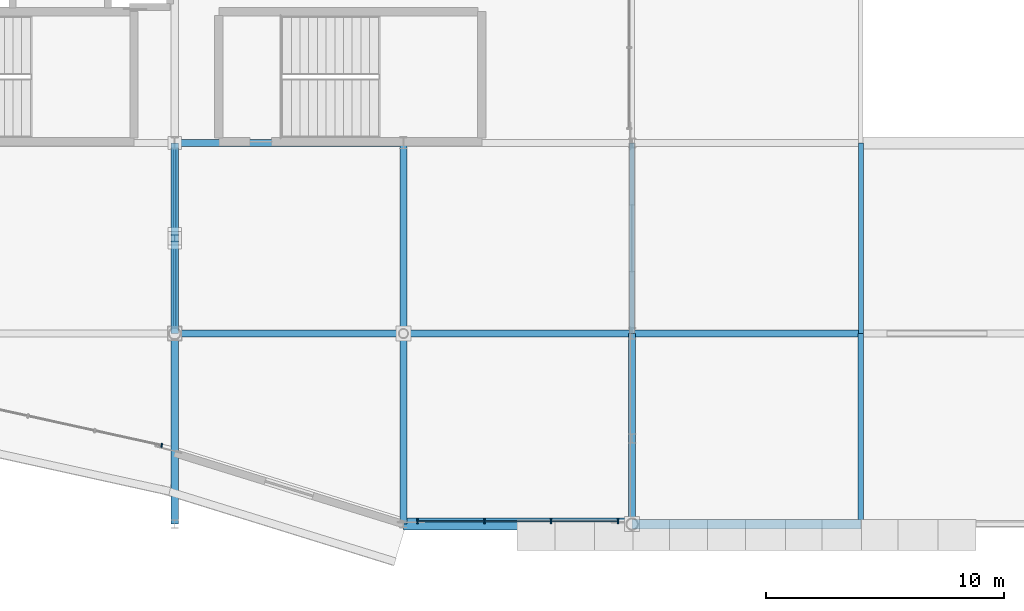
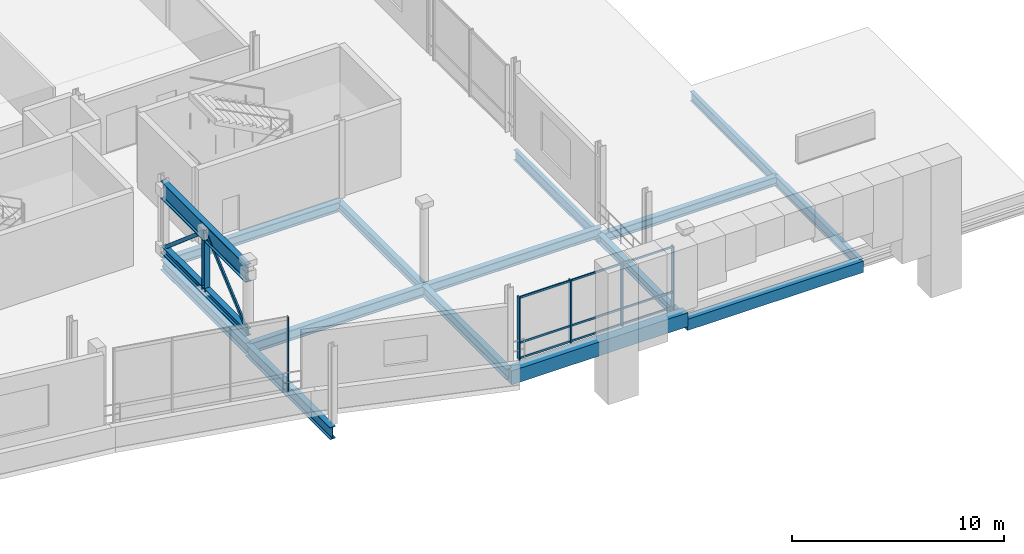
# One storey, part 39 of 193: 14 beams, 13 members, 2 elements without a shape of their own.
"""IFC4 building model written with IfcOpenShell, lengths in metres."""

from ifc_helpers import new_model, si_unit, direction, frame, origin, origin_2d, place, context, subcontext, project, spatial, rectangle, hollow_rectangle, i_section, extrude, material, material_profile, profile_set, type_object, element, aggregate, save


model = new_model("IFC4")

# Units and contexts
model_context = context("Model", 3, precision=1e-05, world=origin(), true_north=direction((0.0, 1.0)))
body_context = subcontext(model_context, "Body", "Model", "MODEL_VIEW")
ifc_project = project(units=[si_unit("LENGTHUNIT", "METRE"), si_unit("AREAUNIT", "SQUARE_METRE"), si_unit("VOLUMEUNIT", "CUBIC_METRE"), si_unit("PLANEANGLEUNIT", "RADIAN"), si_unit("MASSUNIT", "GRAM", prefix="KILO")], contexts=[model_context])

# Site, building, storey
site_placement = place(None, origin())
site = spatial("IfcSite", under=ifc_project, at=site_placement, CompositionType="ELEMENT")
building_placement = place(site_placement, origin())
building = spatial("IfcBuilding", under=site, at=building_placement, Name="Danafjord Basin Convention Centre", CompositionType="ELEMENT")
storey_placement = place(building_placement, frame((0.0, 0.0, 11.39990234375)))
storey = spatial("IfcBuildingStorey", under=building, at=storey_placement, Name="L02", CompositionType="ELEMENT", Elevation=11.39990234375)

# Beams
ifc_material_1 = material(Name="Steel S355", Category="steel")
ifc_material_profile_1 = material_profile(ifc_material_1, i_section(OverallWidth=0.300048828125, OverallDepth=0.5, WebThickness=0.014404296875, FlangeThickness=0.028076171875, FilletRadius=0.027099609375, at=origin_2d()), Name="HEB 500")
ifc_profile_set_1 = profile_set([ifc_material_profile_1], Name="Steel S355")
beam_type_1 = type_object("IfcBeamType", Name="BEAM-BM-HEB500", PredefinedType="BEAM", material=ifc_profile_set_1)
beam_1_placement = place(storey_placement, frame((115.199951171875, 8.0, -0.914794921875), z_axis=(1.0, 0.0, 0.0), x_axis=(0.0, 1.0, 0.0)))
element("IfcBeam", 1, at=beam_1_placement, inside=storey, type_object=beam_type_1, Name="L02 girder BM-HEB500", PredefinedType="BEAM", context=body_context, shape_type="SweptSolid", body=[
    extrude(i_section(OverallWidth=0.300048828125, OverallDepth=0.5, WebThickness=0.014404296875, FlangeThickness=0.028076171875, FilletRadius=0.027099609375, at=origin_2d()), origin(), (0.0, 0.0, 1.0), 9.60009765625),
])
for number, where, z_axis, x_axis, name in (
    (2, (105.60009765625, 8.0, -0.5), (0.0, 1.0, 0.0), (-1.0, 0.0, 0.0), "L02 transverse girder BM-HEB500"),
    (3, (115.199951171875, 0.0, -0.914794921875), (0.0, 1.0, 0.0), (-1.0, 0.0, 0.0), "L02 transverse girder BM-HEB500"),
):
    element("IfcBeam", number, at=place(storey_placement, frame(where, z_axis=z_axis, x_axis=x_axis)), inside=storey, type_object=beam_type_1, Name=name, PredefinedType="BEAM", context=body_context, shape_type="SweptSolid", body=[
        extrude(i_section(OverallWidth=0.300048828125, OverallDepth=0.5, WebThickness=0.014404296875, FlangeThickness=0.028076171875, FilletRadius=0.027099609375, at=origin_2d()), origin(), (0.0, 0.0, 1.0), 8.0),
    ])
ifc_material_profile_2 = material_profile(ifc_material_1, i_section(OverallWidth=0.300048828125, OverallDepth=0.550048828125, WebThickness=0.014892578125, FlangeThickness=0.029052734375, FilletRadius=0.027099609375, at=origin_2d()), Name="HEB 550")
ifc_profile_set_2 = profile_set([ifc_material_profile_2], Name="Steel S355")
beam_type_2 = type_object("IfcBeamType", Name="BEAM-BM-HEB550", PredefinedType="BEAM", material=ifc_profile_set_2)
beam_2_placement = place(storey_placement, frame((96.0, 16.0, -0.52490234375), z_axis=(1.0, 0.0, 0.0), x_axis=(0.0, 1.0, 0.0)))
element("IfcBeam", 4, at=beam_2_placement, inside=storey, type_object=beam_type_2, Name="L02 girder BM-HEB550", PredefinedType="BEAM", context=body_context, shape_type="SweptSolid", body=[
    extrude(i_section(OverallWidth=0.300048828125, OverallDepth=0.550048828125, WebThickness=0.014892578125, FlangeThickness=0.029052734375, FilletRadius=0.027099609375, at=origin_2d()), origin(), (0.0, 0.0, 1.0), 9.60009765625),
])
beam_3_placement = place(storey_placement, frame((105.60009765625, 8.0, -0.52490234375), z_axis=(1.0, 0.0, 0.0), x_axis=(0.0, 1.0, 0.0)))
element("IfcBeam", 5, at=beam_3_placement, inside=storey, type_object=beam_type_2, Name="L02 girder BM-HEB550", PredefinedType="BEAM", context=body_context, shape_type="SweptSolid", body=[
    extrude(i_section(OverallWidth=0.300048828125, OverallDepth=0.550048828125, WebThickness=0.014892578125, FlangeThickness=0.029052734375, FilletRadius=0.027099609375, at=origin_2d()), origin(), (0.0, 0.0, 1.0), 9.599853515625),
])
ifc_material_profile_3 = material_profile(ifc_material_1, i_section(OverallWidth=0.300048828125, OverallDepth=0.60009765625, WebThickness=0.015380859375, FlangeThickness=0.030029296875, FilletRadius=0.027099609375, at=origin_2d()), Name="HEB 600")
ifc_profile_set_3 = profile_set([ifc_material_profile_3], Name="Steel S355")
beam_type_3 = type_object("IfcBeamType", Name="BEAM-BM-HEB600", PredefinedType="BEAM", material=ifc_profile_set_3)
beam_4_placement = place(storey_placement, frame((96.0, 8.0, -0.5498046875), z_axis=(1.0, 0.0, 0.0), x_axis=(0.0, 1.0, 0.0)))
element("IfcBeam", 6, at=beam_4_placement, inside=storey, type_object=beam_type_3, Name="L02 girder BM-HEB600", PredefinedType="BEAM", context=body_context, shape_type="SweptSolid", body=[
    extrude(i_section(OverallWidth=0.300048828125, OverallDepth=0.60009765625, WebThickness=0.015380859375, FlangeThickness=0.030029296875, FilletRadius=0.027099609375, at=origin_2d()), origin(), (0.0, 0.0, 1.0), 9.60009765625),
])
for number, where, z_axis, x_axis, name in (
    (7, (96.0, 8.0, -0.5498046875), (0.0, 1.0, 0.0), (-1.0, 0.0, 0.0), "L02 transverse girder BM-HEB600"),
    (8, (105.60009765625, 0.0, -0.5498046875), (0.0, 1.0, 0.0), (-1.0, 0.0, 0.0), "L02 transverse girder BM-HEB600"),
):
    element("IfcBeam", number, at=place(storey_placement, frame(where, z_axis=z_axis, x_axis=x_axis)), inside=storey, type_object=beam_type_3, Name=name, PredefinedType="BEAM", context=body_context, shape_type="SweptSolid", body=[
        extrude(i_section(OverallWidth=0.300048828125, OverallDepth=0.60009765625, WebThickness=0.015380859375, FlangeThickness=0.030029296875, FilletRadius=0.027099609375, at=origin_2d()), origin(), (0.0, 0.0, 1.0), 8.0),
    ])
ifc_material_profile_4 = material_profile(ifc_material_1, i_section(OverallWidth=0.300048828125, OverallDepth=0.699951171875, WebThickness=0.01708984375, FlangeThickness=0.031982421875, FilletRadius=0.027099609375, at=origin_2d()), Name="HEB 700")
ifc_profile_set_4 = profile_set([ifc_material_profile_4], Name="Steel S355")
beam_type_4 = type_object("IfcBeamType", Name="BEAM-BM-HEB700", PredefinedType="BEAM", material=ifc_profile_set_4)
beam_5_placement = place(storey_placement, frame((96.0, 0.0, -0.599853515625), z_axis=(0.0, 1.0, 0.0), x_axis=(-1.0, 0.0, 0.0)))
element("IfcBeam", 9, at=beam_5_placement, inside=storey, type_object=beam_type_4, Name="L02 transverse girder BM-HEB700", PredefinedType="BEAM", context=body_context, shape_type="SweptSolid", body=[
    extrude(i_section(OverallWidth=0.300048828125, OverallDepth=0.699951171875, WebThickness=0.01708984375, FlangeThickness=0.031982421875, FilletRadius=0.027099609375, at=origin_2d()), origin(), (0.0, 0.0, 1.0), 8.0),
])
ifc_material_profile_5 = material_profile(ifc_material_1, i_section(OverallWidth=0.2099609375, OverallDepth=0.550048828125, WebThickness=0.010986328125, FlangeThickness=0.01708984375, FilletRadius=0.02392578125, at=origin_2d()), Name="IPE 550")
ifc_profile_set_5 = profile_set([ifc_material_profile_5], Name="Steel S355")
beam_type_5 = type_object("IfcBeamType", Name="BEAM-BM-IPE550", PredefinedType="BEAM", material=ifc_profile_set_5)
beam_6_placement = place(storey_placement, frame((124.800048828125, 8.0, -0.93994140625), z_axis=(0.0, 1.0, 0.0), x_axis=(-1.0, 0.0, 0.0)))
element("IfcBeam", 10, at=beam_6_placement, inside=storey, type_object=beam_type_5, Name="L02 transverse girder BM-IPE550", PredefinedType="BEAM", context=body_context, shape_type="SweptSolid", body=[
    extrude(i_section(OverallWidth=0.2099609375, OverallDepth=0.550048828125, WebThickness=0.010986328125, FlangeThickness=0.01708984375, FilletRadius=0.02392578125, at=origin_2d()), origin(), (0.0, 0.0, 1.0), 8.0),
])
ifc_material_profile_6 = material_profile(ifc_material_1, i_section(OverallWidth=0.219970703125, OverallDepth=0.60009765625, WebThickness=0.011962890625, FlangeThickness=0.01904296875, FilletRadius=0.02392578125, at=origin_2d()), Name="IPE 600")
ifc_profile_set_6 = profile_set([ifc_material_profile_6], Name="Steel S355")
beam_type_6 = type_object("IfcBeamType", Name="BEAM-BM-IPE600", PredefinedType="BEAM", material=ifc_profile_set_6)
for number, where, z_axis, x_axis, name in (
    (11, (115.199951171875, 8.0, -0.96484375), (0.0, 1.0, 0.0), (-1.0, 0.0, 0.0), "L02 transverse girder BM-IPE600"),
    (12, (124.800048828125, 0.0, -0.96484375), (0.0, 1.0, 0.0), (-1.0, 0.0, 0.0), "L02 transverse girder BM-IPE600"),
):
    element("IfcBeam", number, at=place(storey_placement, frame(where, z_axis=z_axis, x_axis=x_axis)), inside=storey, type_object=beam_type_6, Name=name, PredefinedType="BEAM", context=body_context, shape_type="SweptSolid", body=[
        extrude(i_section(OverallWidth=0.219970703125, OverallDepth=0.60009765625, WebThickness=0.011962890625, FlangeThickness=0.01904296875, FilletRadius=0.02392578125, at=origin_2d()), origin(), (0.0, 0.0, 1.0), 8.0),
    ])
ifc_material_2 = material(Name="Precast concrete C45/55", Category="concrete")
ifc_material_profile_7 = material_profile(ifc_material_2, rectangle(XDim=0.39990234375, YDim=0.64990234375, at=origin_2d()), Name="PCB 400x650")
ifc_profile_set_7 = profile_set([ifc_material_profile_7], Name="Precast concrete C45/55")
beam_type_7 = type_object("IfcBeamType", Name="BEAM-SP-PCB650", PredefinedType="SPANDREL", material=ifc_profile_set_7)
beam_7_placement = place(storey_placement, frame((115.199951171875, 0.0, -0.989990234375), z_axis=(1.0, 0.0, 0.0), x_axis=(0.0, 1.0, 0.0)))
element("IfcBeam", 13, at=beam_7_placement, inside=storey, type_object=beam_type_7, Name="L02 girder SP-PCB650", PredefinedType="SPANDREL", context=body_context, shape_type="SweptSolid", body=[
    extrude(rectangle(XDim=0.39990234375, YDim=0.64990234375, at=origin_2d()), origin(), (0.0, 0.0, 1.0), 9.60009765625),
])
ifc_material_profile_8 = material_profile(ifc_material_2, rectangle(XDim=0.5, YDim=0.800048828125, at=origin_2d()), Name="PCB 500x800")
ifc_profile_set_8 = profile_set([ifc_material_profile_8], Name="Precast concrete C45/55")
beam_type_8 = type_object("IfcBeamType", Name="BEAM-SP-PCB800", PredefinedType="SPANDREL", material=ifc_profile_set_8)
beam_8_placement = place(storey_placement, frame((105.60009765625, 0.0, -0.64990234375), z_axis=(1.0, 0.0, 0.0), x_axis=(0.0, 1.0, 0.0)))
element("IfcBeam", 14, at=beam_8_placement, inside=storey, type_object=beam_type_8, Name="L02 girder SP-PCB800", PredefinedType="SPANDREL", context=body_context, shape_type="SweptSolid", body=[
    extrude(rectangle(XDim=0.5, YDim=0.800048828125, at=origin_2d()), origin(), (0.0, 0.0, 1.0), 9.599853515625),
])

# Members
ifc_material_profile_9 = material_profile(ifc_material_1, i_section(OverallWidth=0.302001953125, OverallDepth=1.008056640625, WebThickness=0.02099609375, FlangeThickness=0.0400390625, FilletRadius=0.030029296875, at=origin_2d()), Name="HEM 1000")
ifc_profile_set_9 = profile_set([ifc_material_profile_9], Name="Steel S355")
member_type_1 = type_object("IfcMemberType", Name="MEM-CH-HEM1000", PredefinedType="CHORD", material=ifc_profile_set_9)
member_1_placement = place(storey_placement, frame((96.0, 8.0, 3.76611328125), z_axis=(0.0, 1.0, 0.0), x_axis=(-1.0, 0.0, 0.0)))
element("IfcMember", 15, at=member_1_placement, inside=storey, type_object=member_type_1, Name="Transfer truss TT-06 top chord", PredefinedType="CHORD", context=body_context, shape_type="SweptSolid", body=[
    extrude(i_section(OverallWidth=0.302001953125, OverallDepth=1.008056640625, WebThickness=0.02099609375, FlangeThickness=0.0400390625, FilletRadius=0.030029296875, at=origin_2d()), origin(), (0.0, 0.0, 1.0), 8.0),
])
ifc_material_profile_10 = material_profile(ifc_material_1, i_section(OverallWidth=0.306884765625, OverallDepth=0.431884765625, WebThickness=0.02099609375, FlangeThickness=0.0400390625, FilletRadius=0.027099609375, at=origin_2d()), Name="HEM 400")
ifc_profile_set_10 = profile_set([ifc_material_profile_10], Name="Steel S355")
member_type_2 = type_object("IfcMemberType", Name="MEM-CH-HEM400", PredefinedType="CHORD", material=ifc_profile_set_10)
member_2_placement = place(storey_placement, frame((96.0, 8.0, 0.35009765625), z_axis=(0.0, 1.0, 0.0), x_axis=(-1.0, 0.0, 0.0)))
element("IfcMember", 16, at=member_2_placement, inside=storey, type_object=member_type_2, Name="Transfer truss TT-06 bottom chord", PredefinedType="CHORD", context=body_context, shape_type="SweptSolid", body=[
    extrude(i_section(OverallWidth=0.306884765625, OverallDepth=0.431884765625, WebThickness=0.02099609375, FlangeThickness=0.0400390625, FilletRadius=0.027099609375, at=origin_2d()), origin(), (0.0, 0.0, 1.0), 8.0),
])

# Curtain wall, member
ifc_material_3 = material(Name="Anodised aluminium and triple glazing", Category="aluminium")
curtain_wall_type = type_object("IfcCurtainWallType", Name="CW-CW-HARB", PredefinedType="NOTDEFINED", material=ifc_material_3)
curtain_wall_1_placement = place(storey_placement, origin())
curtain_wall_1 = element("IfcCurtainWall", 17, at=curtain_wall_1_placement, inside=storey, type_object=curtain_wall_type, Name="L02 CW-HARB unitised curtain wall bay 26", PredefinedType="NOTDEFINED")
ifc_material_4 = material(Name="Anodised aluminium EN AW-6060", Category="aluminium")
ifc_material_profile_11 = material_profile(ifc_material_4, rectangle(XDim=0.06005859375, YDim=0.179931640625, at=origin_2d()), Name="MULL 60x180")
ifc_profile_set_11 = profile_set([ifc_material_profile_11], Name="Anodised aluminium EN AW-6060")
member_type_3 = type_object("IfcMemberType", Name="MEM-ML-180", PredefinedType="MULLION", material=ifc_profile_set_11)
member_3_placement = place(storey_placement, frame((95.45654296875, 3.30224609375, -0.02490234375), z_axis=(0.0, 0.0, 1.0), x_axis=(0.976623114167, -0.214958816695, 0.0)))
member_3 = element("IfcMember", 18, at=member_3_placement, type_object=member_type_3, Name="CW-L02-026 mullion 4", PredefinedType="MULLION", context=body_context, shape_type="SweptSolid", body=[
    extrude(rectangle(XDim=0.06005859375, YDim=0.179931640625, at=origin_2d()), origin(), (0.0, 0.0, 1.0), 4.304931640625),
])
aggregate(curtain_wall_1, [member_3])

# Curtain wall, members
curtain_wall_2_placement = place(storey_placement, origin())
curtain_wall_2 = element("IfcCurtainWall", 19, at=curtain_wall_2_placement, inside=storey, type_object=curtain_wall_type, Name="L02 CW-HARB unitised curtain wall bay 27", PredefinedType="NOTDEFINED")
ifc_material_profile_12 = material_profile(ifc_material_4, rectangle(XDim=0.06494140625, YDim=0.219970703125, at=origin_2d()), Name="MULL 65x220")
ifc_profile_set_12 = profile_set([ifc_material_profile_12], Name="Anodised aluminium EN AW-6060")
member_type_4 = type_object("IfcMemberType", Name="MEM-ML-220", PredefinedType="MULLION", material=ifc_profile_set_12)
member_4_placement = place(storey_placement, frame((106.199951171875, 0.1201171875, -0.02490234375), z_axis=(0.0, 0.0, 1.0), x_axis=(1.0, 0.0, 0.0)))
member_4 = element("IfcMember", 20, at=member_4_placement, type_object=member_type_4, Name="CW-L02-027 mullion 1", PredefinedType="MULLION", context=body_context, shape_type="SweptSolid", body=[
    extrude(rectangle(XDim=0.06494140625, YDim=0.219970703125, at=origin_2d()), origin(), (0.0, 0.0, 1.0), 3.638916015625),
])
member_5_placement = place(storey_placement, frame((109.0, 0.1201171875, -0.02490234375), z_axis=(0.0, 0.0, 1.0), x_axis=(1.0, 0.0, 0.0)))
member_5 = element("IfcMember", 21, at=member_5_placement, type_object=member_type_4, Name="CW-L02-027 mullion 2", PredefinedType="MULLION", context=body_context, shape_type="SweptSolid", body=[
    extrude(rectangle(XDim=0.06494140625, YDim=0.219970703125, at=origin_2d()), origin(), (0.0, 0.0, 1.0), 3.638916015625),
])
member_6_placement = place(storey_placement, frame((111.800048828125, 0.1201171875, -0.02490234375), z_axis=(0.0, 0.0, 1.0), x_axis=(1.0, 0.0, 0.0)))
member_6 = element("IfcMember", 22, at=member_6_placement, type_object=member_type_4, Name="CW-L02-027 mullion 3", PredefinedType="MULLION", context=body_context, shape_type="SweptSolid", body=[
    extrude(rectangle(XDim=0.06494140625, YDim=0.219970703125, at=origin_2d()), origin(), (0.0, 0.0, 1.0), 3.638916015625),
])
member_7_placement = place(storey_placement, frame((114.60009765625, 0.1201171875, -0.02490234375), z_axis=(0.0, 0.0, 1.0), x_axis=(1.0, 0.0, 0.0)))
member_7 = element("IfcMember", 23, at=member_7_placement, type_object=member_type_4, Name="CW-L02-027 mullion 4", PredefinedType="MULLION", context=body_context, shape_type="SweptSolid", body=[
    extrude(rectangle(XDim=0.06494140625, YDim=0.219970703125, at=origin_2d()), origin(), (0.0, 0.0, 1.0), 3.638916015625),
])

# Member
ifc_material_profile_13 = material_profile(ifc_material_1, i_section(OverallWidth=0.280029296875, OverallDepth=0.280029296875, WebThickness=0.010498046875, FlangeThickness=0.01806640625, FilletRadius=0.02392578125, at=origin_2d()), Name="HEB 280")
ifc_profile_set_13 = profile_set([ifc_material_profile_13], Name="Steel S355")
member_type_5 = type_object("IfcMemberType", Name="MEM-ST-HEB280", PredefinedType="STRUT", material=ifc_profile_set_13)
member_8_placement = place(storey_placement, frame((96.0, 12.0, 0.35009765625), z_axis=(0.0, 0.0, 1.0), x_axis=(1.0, 0.0, 0.0)))
element("IfcMember", 24, at=member_8_placement, inside=storey, type_object=member_type_5, Name="Transfer truss TT-06 mid-post", PredefinedType="STRUT", context=body_context, shape_type="SweptSolid", body=[
    extrude(i_section(OverallWidth=0.280029296875, OverallDepth=0.280029296875, WebThickness=0.010498046875, FlangeThickness=0.01806640625, FilletRadius=0.02392578125, at=origin_2d()), origin(), (0.0, 0.0, 1.0), 3.416015625),
])

ifc_material_profile_14 = material_profile(ifc_material_4, rectangle(XDim=0.06005859375, YDim=0.110107421875, at=origin_2d()), Name="TRAN 60x110")
ifc_profile_set_14 = profile_set([ifc_material_profile_14], Name="Anodised aluminium EN AW-6060")
member_type_6 = type_object("IfcMemberType", Name="MEM-TR-110", PredefinedType="USERDEFINED", material=ifc_profile_set_14)
member_9_placement = place(storey_placement, frame((106.199951171875, 0.1201171875, 0.06005859375), z_axis=(1.0, 0.0, 0.0), x_axis=(0.0, 1.0, 0.0)))
member_9 = element("IfcMember", 25, at=member_9_placement, type_object=member_type_6, Name="CW-L02-027 transom 1", ObjectType="TRANSOM", PredefinedType="USERDEFINED", context=body_context, shape_type="SweptSolid", body=[
    extrude(rectangle(XDim=0.06005859375, YDim=0.110107421875, at=origin_2d()), origin(), (0.0, 0.0, 1.0), 8.400146484375),
])

member_10_placement = place(storey_placement, frame((106.199951171875, 0.1201171875, 0.9501953125), z_axis=(1.0, 0.0, 0.0), x_axis=(0.0, 1.0, 0.0)))
member_10 = element("IfcMember", 26, at=member_10_placement, type_object=member_type_6, Name="CW-L02-027 transom 2", ObjectType="TRANSOM", PredefinedType="USERDEFINED", context=body_context, shape_type="SweptSolid", body=[
    extrude(rectangle(XDim=0.06005859375, YDim=0.110107421875, at=origin_2d()), origin(), (0.0, 0.0, 1.0), 8.400146484375),
])

member_11_placement = place(storey_placement, frame((106.199951171875, 0.1201171875, 3.544189453125), z_axis=(1.0, 0.0, 0.0), x_axis=(0.0, 1.0, 0.0)))
member_11 = element("IfcMember", 27, at=member_11_placement, type_object=member_type_6, Name="CW-L02-027 transom 3", ObjectType="TRANSOM", PredefinedType="USERDEFINED", context=body_context, shape_type="SweptSolid", body=[
    extrude(rectangle(XDim=0.06005859375, YDim=0.110107421875, at=origin_2d()), origin(), (0.0, 0.0, 1.0), 8.400146484375),
])

aggregate(curtain_wall_2, [member_4, member_5, member_6, member_7, member_9, member_10, member_11])

# Members
ifc_material_profile_15 = material_profile(ifc_material_1, hollow_rectangle(XDim=0.10009765625, YDim=0.199951171875, WallThickness=0.00634765625, InnerFilletRadius=0.009521484375, OuterFilletRadius=0.015869140625, at=origin_2d()), Name="RHS 200x100x6.3")
ifc_profile_set_15 = profile_set([ifc_material_profile_15], Name="Steel S355")
member_type_7 = type_object("IfcMemberType", Name="MEM-WB-RHS200", PredefinedType="MEMBER", material=ifc_profile_set_15)
for number, where, z_axis, x_axis, name in (
    (28, (96.0, 8.0, 0.35009765625), (0.0, 0.760434798232, 0.649414288138), (-1.0, 0.0, 0.0), "Transfer truss TT-06 web member A"),
    (29, (96.0, 16.0, 0.35009765625), (0.0, -0.760434798232, 0.649414288138), (1.0, 0.0, 0.0), "Transfer truss TT-06 web member B"),
):
    element("IfcMember", number, at=place(storey_placement, frame(where, z_axis=z_axis, x_axis=x_axis)), inside=storey, type_object=member_type_7, Name=name, PredefinedType="MEMBER", context=body_context, shape_type="SweptSolid", body=[
        extrude(hollow_rectangle(XDim=0.10009765625, YDim=0.199951171875, WallThickness=0.00634765625, InnerFilletRadius=0.009521484375, OuterFilletRadius=0.015869140625, at=origin_2d()), origin(), (0.0, 0.0, 1.0), 5.26025390625),
    ])

save(model, "model.ifc")
